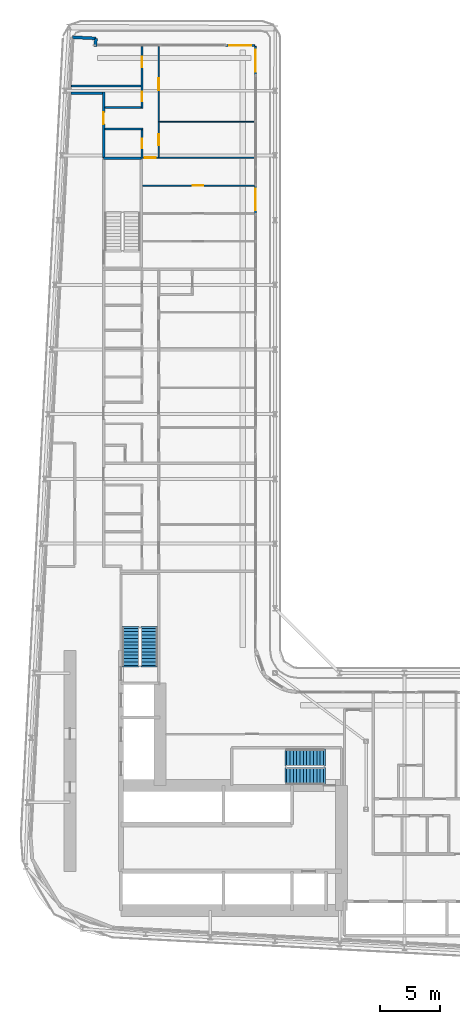
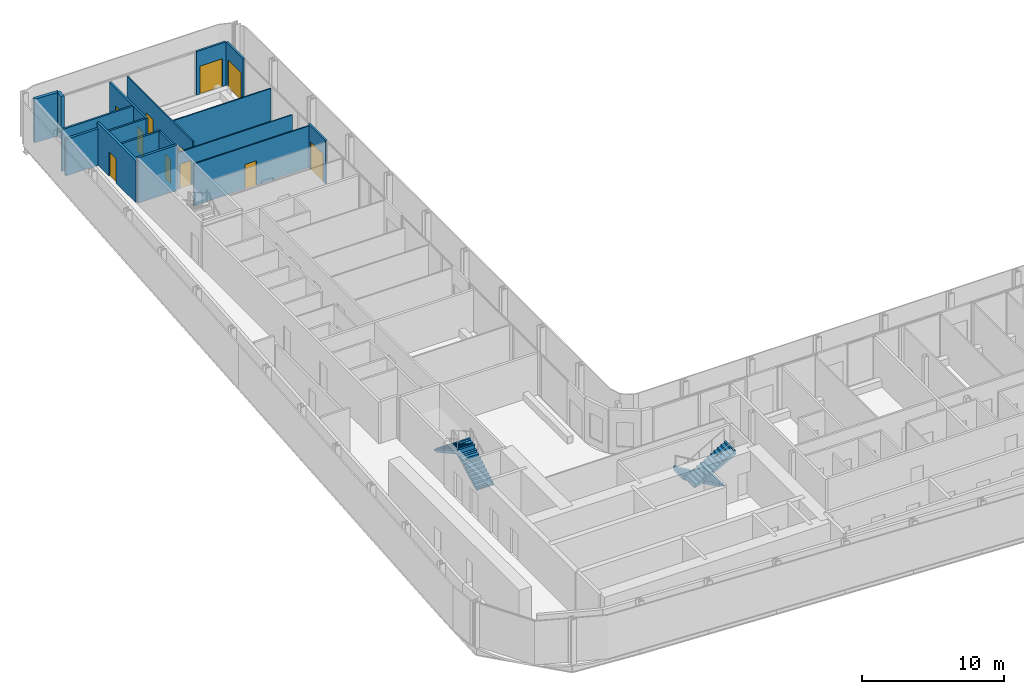
# One storey, part 20 of 28: 17 walls, 11 doors, 4 stair flights, 11 openings, 2 elements without a shape of their own.
"""IFC4 building model written with IfcOpenShell, lengths in metres."""

from ifc_helpers import new_model, si_unit, direction, frame, frame_2d, origin, place, context, subcontext, project, spatial, polyline, rectangle, outline, extrude, source, transform, mapped, material, layer, layer_set, type_object, element, fill, aggregate, save


model = new_model("IFC4")

# Units and contexts
model_context = context("Model", 3, precision=1e-05, world=origin(), true_north=direction((0.0, 1.0)))
body_context = subcontext(model_context, "Body", "Model", "MODEL_VIEW")
ifc_project = project(units=[si_unit("LENGTHUNIT", "METRE"), si_unit("AREAUNIT", "SQUARE_METRE"), si_unit("VOLUMEUNIT", "CUBIC_METRE"), si_unit("PLANEANGLEUNIT", "RADIAN"), si_unit("MASSUNIT", "GRAM", prefix="KILO")], contexts=[model_context])

# Site, building, storey
site_placement = place(None, origin())
site = spatial("IfcSite", under=ifc_project, at=site_placement, CompositionType="ELEMENT")
building_placement = place(site_placement, origin())
building = spatial("IfcBuilding", under=site, at=building_placement, Name="Kheshtan School and Residences Tower", CompositionType="ELEMENT")
storey_placement = place(building_placement, frame((0.0, 0.0, 77.300048828125)))
storey = spatial("IfcBuildingStorey", under=building, at=storey_placement, Name="L18", CompositionType="ELEMENT", Elevation=77.300048828125)

# Wall
ifc_material_1 = material(Name="Gypsum board on steel studs with fire boards", Category="steel")
ifc_layer_1 = layer(ifc_material_1, 0.199951171875)
ifc_layer_set_1 = layer_set([ifc_layer_1], Name="Corridor wall 200")
wall_type_1 = type_object("IfcWallType", Name="Corridor wall 200", PredefinedType="PARTITIONING", material=ifc_layer_set_1)
wall_1_placement = place(storey_placement, frame((30.584716796875, 94.0, 0.0), z_axis=(0.0, 0.0, 1.0), x_axis=(1.0, 0.0, 0.0)))
element("IfcWall", 1, at=wall_1_placement, inside=storey, type_object=wall_type_1, Name="Partition L18-002", PredefinedType="PARTITIONING", context=body_context, shape_type="SweptSolid", body=[
    extrude(rectangle(XDim=2.615234375, YDim=0.199951171875, at=frame_2d((1.3076171875, 0.0))), origin(), (0.0, 0.0, 1.0), 3.14697265625),
])

# Wall, opening, door
wall_2_placement = place(storey_placement, frame((33.300048828125, 88.60009765625, 0.0), z_axis=(0.0, 0.0, 1.0), x_axis=(0.0, 1.0, 0.0)))
wall_2 = element("IfcWall", 2, at=wall_2_placement, inside=storey, type_object=wall_type_1, Name="Partition L18-005", PredefinedType="PARTITIONING", context=body_context, shape_type="SweptSolid", body=[
    extrude(rectangle(XDim=5.5, YDim=0.199951171875, at=frame_2d((2.75, 0.0))), origin(), (0.0, 0.0, 1.0), 3.599853515625),
])
opening_1_placement = place(wall_2_placement, frame((2.800048828125, 0.0, 0.0)))
opening_1 = element("IfcOpeningElement", 3, at=opening_1_placement, cuts=wall_2, Name="Opening D17-058", PredefinedType="OPENING", context=body_context, shape_type="SweptSolid", body=[
    extrude(rectangle(XDim=1.0, YDim=2.10009765625, at=frame_2d((0.5, 1.050048828125))), frame((0.0, 0.10986328125, 0.0), z_axis=(0.0, -1.0, 0.0), x_axis=(1.0, 0.0, 0.0)), (0.0, 0.0, 1.0), 0.219970703125),
])
ifc_material_2 = material(Name="Steel-framed fire-resisting door leaf", Category="steel")
door_type_1 = type_object("IfcDoorType", Name="Fire door FD30S 1000 x 2100", OperationType="SINGLE_SWING_LEFT", PredefinedType="DOOR", material=ifc_material_2)
shared_shape_1 = source(origin(), body_context, "Body", "SweptSolid", [
    extrude(rectangle(XDim=1.0, YDim=2.10009765625, at=frame_2d((0.5, 1.050048828125))), frame((0.0, 0.02490234375, 0.0), z_axis=(0.0, -1.0, 0.0), x_axis=(1.0, 0.0, 0.0)), (0.0, 0.0, 1.0), 0.050048828125),
])
door_1_placement = place(opening_1_placement, origin())
door_1 = element("IfcDoor", 4, at=door_1_placement, inside=storey, type_object=door_type_1, Name="Door D17-058", OperationType="SINGLE_SWING_LEFT", OverallHeight=2.10009765625, OverallWidth=1.0, PredefinedType="DOOR", context=body_context, shape_type="MappedRepresentation", body=[
    mapped(shared_shape_1, transform((0.0, 0.0, 0.0), x_axis=(1.0, 0.0, 0.0), y_axis=(0.0, 1.0, 0.0), z_axis=(0.0, 0.0, 1.0), scale=1.0)),
])
fill(opening_1, door_1)

# Walls
ifc_material_3 = material(Name="Concrete C40/50 with ceramic cladding and mineral wool insulation", Category="concrete")
ifc_layer_2 = layer(ifc_material_3, 0.25)
ifc_layer_set_2 = layer_set([ifc_layer_2], Name="External wall 250 ceramic clad")
wall_type_2 = type_object("IfcWallType", Name="External wall 250 ceramic clad", PredefinedType="SOLIDWALL", material=ifc_layer_set_2)
wall_3_placement = place(storey_placement, frame((30.705078125, 98.6640625, 0.0), z_axis=(0.0, 0.0, 1.0), x_axis=(0.998577785791, -0.053314216913, 0.0)))
element("IfcWall", 5, at=wall_3_placement, inside=storey, type_object=wall_type_2, Name="External wall L18 5", PredefinedType="SOLIDWALL", context=body_context, shape_type="SweptSolid", body=[
    extrude(rectangle(XDim=1.95068359375, YDim=0.25, at=frame_2d((0.975341796875, 0.0))), origin(), (0.0, 0.0, 1.0), 3.75),
])
wall_4_placement = place(storey_placement, frame((32.653076171875, 98.56005859375, 0.0), z_axis=(0.0, 0.0, 1.0), x_axis=(-0.054093451632, -0.998535877418, 0.0)))
element("IfcWall", 6, at=wall_4_placement, inside=storey, type_object=wall_type_2, Name="External wall L18 6", PredefinedType="SOLIDWALL", context=body_context, shape_type="SweptSolid", body=[
    extrude(rectangle(XDim=0.66796875, YDim=0.25, at=frame_2d((0.333984375, 0.0))), origin(), (0.0, 0.0, 1.0), 3.75),
])

# Wall, opening, door
ifc_material_4 = material(Name="Aluminium frame wall with insulated infill", Category="aluminium")
ifc_layer_3 = layer(ifc_material_4, 0.14990234375)
ifc_layer_set_3 = layer_set([ifc_layer_3], Name="Glazing frame wall 150")
wall_type_3 = type_object("IfcWallType", Name="Glazing frame wall 150", PredefinedType="SOLIDWALL", material=ifc_layer_set_3)
wall_5_placement = place(storey_placement, frame((43.5, 97.97509765625, 0.0), z_axis=(0.0, 0.0, 1.0), x_axis=(1.0, 0.0, 0.0)))
wall_5 = element("IfcWall", 7, at=wall_5_placement, inside=storey, type_object=wall_type_3, Name="Balcony door wall L18 7.1", PredefinedType="SOLIDWALL", context=body_context, shape_type="SweptSolid", body=[
    extrude(rectangle(XDim=2.39990234375, YDim=0.14990234375, at=frame_2d((1.199951171875, 0.0))), origin(), (0.0, 0.0, 1.0), 3.75),
])
opening_2_placement = place(wall_5_placement, frame((0.300048828125, 0.0, 0.0)))
opening_2 = element("IfcOpeningElement", 8, at=opening_2_placement, cuts=wall_5, Name="Opening BD", PredefinedType="OPENING", context=body_context, shape_type="SweptSolid", body=[
    extrude(rectangle(XDim=1.800048828125, YDim=2.39990234375, at=frame_2d((0.89990234375, 1.199951171875))), frame((0.0, 0.0849609375, 0.0), z_axis=(0.0, -1.0, 0.0), x_axis=(1.0, 0.0, 0.0)), (0.0, 0.0, 1.0), 0.169921875),
])
ifc_material_5 = material(Name="Clear low-e glass in thermally broken aluminium frame", Category="aluminium")
door_type_2 = type_object("IfcDoorType", Name="Balcony sliding door", OperationType="SLIDING_TO_LEFT", PredefinedType="DOOR", material=ifc_material_5)
shared_shape_2 = source(origin(), body_context, "Body", "SweptSolid", [
    extrude(rectangle(XDim=1.800048828125, YDim=2.39990234375, at=frame_2d((0.89990234375, 1.199951171875))), frame((0.0, 0.02490234375, 0.0), z_axis=(0.0, -1.0, 0.0), x_axis=(1.0, 0.0, 0.0)), (0.0, 0.0, 1.0), 0.050048828125),
])
door_2_placement = place(opening_2_placement, origin())
door_2 = element("IfcDoor", 9, at=door_2_placement, inside=storey, type_object=door_type_2, Name="Balcony door L18 7.1", OperationType="SLIDING_TO_LEFT", OverallHeight=2.39990234375, OverallWidth=1.800048828125, PredefinedType="DOOR", context=body_context, shape_type="MappedRepresentation", body=[
    mapped(shared_shape_2, transform((0.0, 0.0, 0.0), x_axis=(1.0, 0.0, 0.0), y_axis=(0.0, 1.0, 0.0), z_axis=(0.0, 0.0, 1.0), scale=1.0)),
])
fill(opening_2, door_2)

wall_6_placement = place(storey_placement, frame((45.97509765625, 97.89990234375, 0.0), z_axis=(0.0, 0.0, 1.0), x_axis=(0.0, -1.0, 0.0)))
wall_6 = element("IfcWall", 10, at=wall_6_placement, inside=storey, type_object=wall_type_3, Name="Balcony door wall L18 8.1", PredefinedType="SOLIDWALL", context=body_context, shape_type="SweptSolid", body=[
    extrude(rectangle(XDim=2.39990234375, YDim=0.14990234375, at=frame_2d((1.199951171875, 0.0))), origin(), (0.0, 0.0, 1.0), 3.75),
])
opening_3_placement = place(wall_6_placement, frame((0.300048828125, 0.0, 0.0)))
opening_3 = element("IfcOpeningElement", 11, at=opening_3_placement, cuts=wall_6, Name="Opening BD", PredefinedType="OPENING", context=body_context, shape_type="SweptSolid", body=[
    extrude(rectangle(XDim=1.800048828125, YDim=2.39990234375, at=frame_2d((0.89990234375, 1.199951171875))), frame((0.0, 0.0849609375, 0.0), z_axis=(0.0, -1.0, 0.0), x_axis=(1.0, 0.0, 0.0)), (0.0, 0.0, 1.0), 0.169921875),
])
door_3_placement = place(opening_3_placement, origin())
door_3 = element("IfcDoor", 12, at=door_3_placement, inside=storey, type_object=door_type_2, Name="Balcony door L18 8.1", OperationType="SLIDING_TO_LEFT", OverallHeight=2.39990234375, OverallWidth=1.800048828125, PredefinedType="DOOR", context=body_context, shape_type="MappedRepresentation", body=[
    mapped(shared_shape_2, transform((0.0, 0.0, 0.0), x_axis=(1.0, 0.0, 0.0), y_axis=(0.0, 1.0, 0.0), z_axis=(0.0, 0.0, 1.0), scale=1.0)),
])
fill(opening_3, door_3)

wall_7_placement = place(storey_placement, frame((45.97509765625, 86.305908203125, 0.0), z_axis=(0.0, 0.0, 1.0), x_axis=(0.0, -1.0, 0.0)))
wall_7 = element("IfcWall", 13, at=wall_7_placement, inside=storey, type_object=wall_type_3, Name="Balcony door wall L18 8.2", PredefinedType="SOLIDWALL", context=body_context, shape_type="SweptSolid", body=[
    extrude(rectangle(XDim=2.39990234375, YDim=0.14990234375, at=frame_2d((1.199951171875, 0.0))), origin(), (0.0, 0.0, 1.0), 3.75),
])
opening_4_placement = place(wall_7_placement, frame((0.300048828125, 0.0, 0.0)))
opening_4 = element("IfcOpeningElement", 14, at=opening_4_placement, cuts=wall_7, Name="Opening BD", PredefinedType="OPENING", context=body_context, shape_type="SweptSolid", body=[
    extrude(rectangle(XDim=1.800048828125, YDim=2.39990234375, at=frame_2d((0.89990234375, 1.199951171875))), frame((0.0, 0.0849609375, 0.0), z_axis=(0.0, -1.0, 0.0), x_axis=(1.0, 0.0, 0.0)), (0.0, 0.0, 1.0), 0.169921875),
])
door_4_placement = place(opening_4_placement, origin())
door_4 = element("IfcDoor", 15, at=door_4_placement, inside=storey, type_object=door_type_2, Name="Balcony door L18 8.2", OperationType="SLIDING_TO_LEFT", OverallHeight=2.39990234375, OverallWidth=1.800048828125, PredefinedType="DOOR", context=body_context, shape_type="MappedRepresentation", body=[
    mapped(shared_shape_2, transform((0.0, 0.0, 0.0), x_axis=(1.0, 0.0, 0.0), y_axis=(0.0, 1.0, 0.0), z_axis=(0.0, 0.0, 1.0), scale=1.0)),
])
fill(opening_4, door_4)

ifc_material_6 = material(Name="Gypsum board on steel studs", Category="steel")
ifc_layer_4 = layer(ifc_material_6, 0.10009765625)
ifc_layer_set_4 = layer_set([ifc_layer_4], Name="Gypsum partition 100")
wall_type_4 = type_object("IfcWallType", Name="Gypsum partition 100", PredefinedType="PARTITIONING", material=ifc_layer_set_4)
wall_8_placement = place(storey_placement, frame((36.549072265625, 86.27490234375, 0.0), z_axis=(0.0, 0.0, 1.0), x_axis=(1.0, 0.0, 0.0)))
wall_8 = element("IfcWall", 16, at=wall_8_placement, inside=storey, type_object=wall_type_4, Name="Partition L18-030", PredefinedType="PARTITIONING", context=body_context, shape_type="SweptSolid", body=[
    extrude(rectangle(XDim=9.350830078125, YDim=0.10009765625, at=frame_2d((4.67529296875, 0.0))), origin(), (0.0, 0.0, 1.0), 3.599853515625),
])
opening_5_placement = place(wall_8_placement, frame((4.176025390625, 0.0, 0.0)))
opening_5 = element("IfcOpeningElement", 17, at=opening_5_placement, cuts=wall_8, Name="Opening D17-063", PredefinedType="OPENING", context=body_context, shape_type="SweptSolid", body=[
    extrude(rectangle(XDim=0.89990234375, YDim=2.10009765625, at=frame_2d((0.449951171875, 1.050048828125))), frame((0.0, 0.06005859375, 0.0), z_axis=(0.0, -1.0, 0.0), x_axis=(1.0, 0.0, 0.0)), (0.0, 0.0, 1.0), 0.1201171875),
])
ifc_material_7 = material(Name="Veneered timber door leaf", Category="wood")
door_type_3 = type_object("IfcDoorType", Name="Door 900 x 2100", OperationType="SINGLE_SWING_LEFT", PredefinedType="DOOR", material=ifc_material_7)
shared_shape_3 = source(origin(), body_context, "Body", "SweptSolid", [
    extrude(rectangle(XDim=0.89990234375, YDim=2.10009765625, at=frame_2d((0.449951171875, 1.050048828125))), frame((0.0, 0.02490234375, 0.0), z_axis=(0.0, -1.0, 0.0), x_axis=(1.0, 0.0, 0.0)), (0.0, 0.0, 1.0), 0.050048828125),
])
door_5_placement = place(opening_5_placement, origin())
door_5 = element("IfcDoor", 18, at=door_5_placement, inside=storey, type_object=door_type_3, Name="Door D17-063", OperationType="SINGLE_SWING_RIGHT", OverallHeight=2.10009765625, OverallWidth=0.89990234375, PredefinedType="DOOR", context=body_context, shape_type="MappedRepresentation", body=[
    mapped(shared_shape_3, transform((0.0, 0.0, 0.0), x_axis=(1.0, 0.0, 0.0), y_axis=(0.0, 1.0, 0.0), z_axis=(0.0, 0.0, 1.0), scale=1.0)),
])
fill(opening_5, door_5)

wall_9_placement = place(storey_placement, frame((36.574951171875, 88.60009765625, 0.0), z_axis=(0.0, 0.0, 1.0), x_axis=(1.0, 0.0, 0.0)))
wall_9 = element("IfcWall", 19, at=wall_9_placement, inside=storey, type_object=wall_type_4, Name="Partition L18-031", PredefinedType="PARTITIONING", context=body_context, shape_type="SweptSolid", body=[
    extrude(rectangle(XDim=9.324951171875, YDim=0.10009765625, at=frame_2d((4.66259765625, 0.0))), origin(), (0.0, 0.0, 1.0), 3.14697265625),
])
opening_6_placement = place(wall_9_placement, frame((0.175048828125, 0.0, 0.0)))
opening_6 = element("IfcOpeningElement", 20, at=opening_6_placement, cuts=wall_9, Name="Opening D17-062", PredefinedType="OPENING", context=body_context, shape_type="SweptSolid", body=[
    extrude(rectangle(XDim=0.89990234375, YDim=2.10009765625, at=frame_2d((0.449951171875, 1.050048828125))), frame((0.0, 0.06005859375, 0.0), z_axis=(0.0, -1.0, 0.0), x_axis=(1.0, 0.0, 0.0)), (0.0, 0.0, 1.0), 0.1201171875),
])
door_6_placement = place(opening_6_placement, origin())
door_6 = element("IfcDoor", 21, at=door_6_placement, inside=storey, type_object=door_type_3, Name="Door D17-062", OperationType="SINGLE_SWING_RIGHT", OverallHeight=2.10009765625, OverallWidth=0.89990234375, PredefinedType="DOOR", context=body_context, shape_type="MappedRepresentation", body=[
    mapped(shared_shape_3, transform((0.0, 0.0, 0.0), x_axis=(1.0, 0.0, 0.0), y_axis=(0.0, 1.0, 0.0), z_axis=(0.0, 0.0, 1.0), scale=1.0)),
])
fill(opening_6, door_6)

# Wall, openings, doors
wall_10_placement = place(storey_placement, frame((37.89990234375, 88.64990234375, 0.0), z_axis=(0.0, 0.0, 1.0), x_axis=(0.0, 1.0, 0.0)))
wall_10 = element("IfcWall", 22, at=wall_10_placement, inside=storey, type_object=wall_type_4, Name="Partition L18-034", PredefinedType="PARTITIONING", context=body_context, shape_type="SweptSolid", body=[
    extrude(rectangle(XDim=9.25, YDim=0.10009765625, at=frame_2d((4.625, 0.0))), origin(), (0.0, 0.0, 1.0), 3.599853515625),
])
opening_7_placement = place(wall_10_placement, frame((1.0, 0.0, 0.0)))
opening_7 = element("IfcOpeningElement", 23, at=opening_7_placement, cuts=wall_10, Name="Opening D17-057", PredefinedType="OPENING", context=body_context, shape_type="SweptSolid", body=[
    extrude(rectangle(XDim=0.89990234375, YDim=2.10009765625, at=frame_2d((0.449951171875, 1.050048828125))), frame((0.0, 0.06005859375, 0.0), z_axis=(0.0, -1.0, 0.0), x_axis=(1.0, 0.0, 0.0)), (0.0, 0.0, 1.0), 0.1201171875),
])
opening_8_placement = place(wall_10_placement, frame((5.60009765625, 0.0, 0.0)))
opening_8 = element("IfcOpeningElement", 24, at=opening_8_placement, cuts=wall_10, Name="Opening D17-060", PredefinedType="OPENING", context=body_context, shape_type="SweptSolid", body=[
    extrude(rectangle(XDim=1.0, YDim=2.10009765625, at=frame_2d((0.5, 1.050048828125))), frame((0.0, 0.06005859375, 0.0), z_axis=(0.0, -1.0, 0.0), x_axis=(1.0, 0.0, 0.0)), (0.0, 0.0, 1.0), 0.1201171875),
])
door_type_4 = type_object("IfcDoorType", Name="Door 1000 x 2100", OperationType="SINGLE_SWING_LEFT", PredefinedType="DOOR", material=ifc_material_7)
shared_shape_4 = source(origin(), body_context, "Body", "SweptSolid", [
    extrude(rectangle(XDim=1.0, YDim=2.10009765625, at=frame_2d((0.5, 1.050048828125))), frame((0.0, 0.02490234375, 0.0), z_axis=(0.0, -1.0, 0.0), x_axis=(1.0, 0.0, 0.0)), (0.0, 0.0, 1.0), 0.050048828125),
])
door_7_placement = place(opening_8_placement, origin())
door_7 = element("IfcDoor", 25, at=door_7_placement, inside=storey, type_object=door_type_4, Name="Door D17-060", OperationType="SINGLE_SWING_RIGHT", OverallHeight=2.10009765625, OverallWidth=1.0, PredefinedType="DOOR", context=body_context, shape_type="MappedRepresentation", body=[
    mapped(shared_shape_4, transform((0.0, 0.0, 0.0), x_axis=(1.0, 0.0, 0.0), y_axis=(0.0, 1.0, 0.0), z_axis=(0.0, 0.0, 1.0), scale=1.0)),
])
fill(opening_8, door_7)
door_8_placement = place(opening_7_placement, origin())
door_8 = element("IfcDoor", 26, at=door_8_placement, inside=storey, type_object=door_type_3, Name="Door D17-057", OperationType="SINGLE_SWING_LEFT", OverallHeight=2.10009765625, OverallWidth=0.89990234375, PredefinedType="DOOR", context=body_context, shape_type="MappedRepresentation", body=[
    mapped(shared_shape_3, transform((0.0, 0.0, 0.0), x_axis=(1.0, 0.0, 0.0), y_axis=(0.0, 1.0, 0.0), z_axis=(0.0, 0.0, 1.0), scale=1.0)),
])
fill(opening_7, door_8)

# Walls
wall_11_placement = place(storey_placement, frame((37.949951171875, 91.60009765625, 0.0), z_axis=(0.0, 0.0, 1.0), x_axis=(1.0, 0.0, 0.0)))
element("IfcWall", 27, at=wall_11_placement, inside=storey, type_object=wall_type_4, Name="Partition L18-035", PredefinedType="PARTITIONING", context=body_context, shape_type="SweptSolid", body=[
    extrude(rectangle(XDim=7.949951171875, YDim=0.10009765625, at=frame_2d((3.97509765625, 0.0))), origin(), (0.0, 0.0, 1.0), 3.599853515625),
])
ifc_material_8 = material(Name="Concrete C40/50", Category="concrete")
ifc_layer_5 = layer(ifc_material_8, 0.199951171875)
ifc_layer_set_5 = layer_set([ifc_layer_5], Name="Stair enclosure wall 200 Concrete C40/50")
wall_type_5 = type_object("IfcWallType", Name="Stair enclosure wall 200 Concrete C40/50", PredefinedType="SHEAR", material=ifc_layer_set_5)
wall_12_placement = place(storey_placement, frame((33.300048828125, 88.56005859375, 0.0), z_axis=(0.0, 0.0, 1.0), x_axis=(1.0, 0.0, 0.0)))
element("IfcWall", 28, at=wall_12_placement, inside=storey, type_object=wall_type_5, Name="Stair enclosure wall ST3", PredefinedType="SHEAR", context=body_context, shape_type="SweptSolid", body=[
    extrude(rectangle(XDim=3.14990234375, YDim=0.199951171875, at=frame_2d((1.574951171875, 0.0))), origin(), (0.0, 0.0, 1.0), 3.89990234375),
])
ifc_material_9 = material(Name="Moisture-resistant gypsum board on steel studs", Category="steel")
ifc_layer_6 = layer(ifc_material_9, 0.14990234375)
ifc_layer_set_6 = layer_set([ifc_layer_6], Name="Wet-room partition 150")
wall_type_6 = type_object("IfcWallType", Name="Wet-room partition 150", PredefinedType="PARTITIONING", material=ifc_layer_set_6)
wall_13_placement = place(storey_placement, frame((30.616943359375, 94.60009765625, 0.0), z_axis=(0.0, 0.0, 1.0), x_axis=(1.0, 0.0, 0.0)))
element("IfcWall", 29, at=wall_13_placement, inside=storey, type_object=wall_type_6, Name="Partition L18-001", PredefinedType="PARTITIONING", context=body_context, shape_type="SweptSolid", body=[
    extrude(rectangle(XDim=5.80810546875, YDim=0.14990234375, at=frame_2d((2.904052734375, 0.0))), origin(), (0.0, 0.0, 1.0), 3.599853515625),
])
wall_14_placement = place(storey_placement, frame((33.39990234375, 91.0, 0.0), z_axis=(0.0, 0.0, 1.0), x_axis=(1.0, 0.0, 0.0)))
element("IfcWall", 30, at=wall_14_placement, inside=storey, type_object=wall_type_6, Name="Partition L18-018", PredefinedType="PARTITIONING", context=body_context, shape_type="SweptSolid", body=[
    extrude(rectangle(XDim=3.175048828125, YDim=0.14990234375, at=frame_2d((1.58740234375, 0.0))), origin(), (0.0, 0.0, 1.0), 3.599853515625),
])
wall_15_placement = place(storey_placement, frame((33.39990234375, 92.800048828125, 0.0), z_axis=(0.0, 0.0, 1.0), x_axis=(1.0, 0.0, 0.0)))
element("IfcWall", 31, at=wall_15_placement, inside=storey, type_object=wall_type_6, Name="Partition L18-019", PredefinedType="PARTITIONING", context=body_context, shape_type="SweptSolid", body=[
    extrude(rectangle(XDim=3.025146484375, YDim=0.14990234375, at=frame_2d((1.5126953125, 0.0))), origin(), (0.0, 0.0, 1.0), 3.599853515625),
])

# Wall, opening, door
wall_16_placement = place(storey_placement, frame((36.5, 88.550048828125, 0.0), z_axis=(0.0, 0.0, 1.0), x_axis=(0.0, 1.0, 0.0)))
wall_16 = element("IfcWall", 32, at=wall_16_placement, inside=storey, type_object=wall_type_6, Name="Partition L18-026", PredefinedType="PARTITIONING", context=body_context, shape_type="SweptSolid", body=[
    extrude(rectangle(XDim=2.375, YDim=0.14990234375, at=frame_2d((1.1875, 0.0))), origin(), (0.0, 0.0, 1.0), 3.599853515625),
])
opening_9_placement = place(wall_16_placement, frame((0.85009765625, 0.0, 0.0)))
opening_9 = element("IfcOpeningElement", 33, at=opening_9_placement, cuts=wall_16, Name="Opening D17-056", PredefinedType="OPENING", context=body_context, shape_type="SweptSolid", body=[
    extrude(rectangle(XDim=0.800048828125, YDim=2.10009765625, at=frame_2d((0.39990234375, 1.050048828125))), frame((0.0, 0.0849609375, 0.0), z_axis=(0.0, -1.0, 0.0), x_axis=(1.0, 0.0, 0.0)), (0.0, 0.0, 1.0), 0.169921875),
])
door_type_5 = type_object("IfcDoorType", Name="Door 800 x 2100", OperationType="SINGLE_SWING_LEFT", PredefinedType="DOOR", material=ifc_material_7)
shared_shape_5 = source(origin(), body_context, "Body", "SweptSolid", [
    extrude(rectangle(XDim=0.800048828125, YDim=2.10009765625, at=frame_2d((0.39990234375, 1.050048828125))), frame((0.0, 0.02490234375, 0.0), z_axis=(0.0, -1.0, 0.0), x_axis=(1.0, 0.0, 0.0)), (0.0, 0.0, 1.0), 0.050048828125),
])
door_9_placement = place(opening_9_placement, origin())
door_9 = element("IfcDoor", 34, at=door_9_placement, inside=storey, type_object=door_type_5, Name="Door D17-056", OperationType="SINGLE_SWING_RIGHT", OverallHeight=2.10009765625, OverallWidth=0.800048828125, PredefinedType="DOOR", context=body_context, shape_type="MappedRepresentation", body=[
    mapped(shared_shape_5, transform((0.0, 0.0, 0.0), x_axis=(1.0, 0.0, 0.0), y_axis=(0.0, 1.0, 0.0), z_axis=(0.0, 0.0, 1.0), scale=1.0)),
])
fill(opening_9, door_9)

# Wall, openings, doors
wall_17_placement = place(storey_placement, frame((36.5, 92.72509765625, 0.0), z_axis=(0.0, 0.0, 1.0), x_axis=(0.0, 1.0, 0.0)))
wall_17 = element("IfcWall", 35, at=wall_17_placement, inside=storey, type_object=wall_type_6, Name="Partition L18-027", PredefinedType="PARTITIONING", context=body_context, shape_type="SweptSolid", body=[
    extrude(rectangle(XDim=5.1748046875, YDim=0.14990234375, at=frame_2d((2.58740234375, 0.0))), origin(), (0.0, 0.0, 1.0), 3.599853515625),
])
opening_10_placement = place(wall_17_placement, frame((3.425048828125, 0.0, 0.0)))
opening_10 = element("IfcOpeningElement", 36, at=opening_10_placement, cuts=wall_17, Name="Opening D17-059", PredefinedType="OPENING", context=body_context, shape_type="SweptSolid", body=[
    extrude(rectangle(XDim=0.89990234375, YDim=2.10009765625, at=frame_2d((0.449951171875, 1.050048828125))), frame((0.0, 0.0849609375, 0.0), z_axis=(0.0, -1.0, 0.0), x_axis=(1.0, 0.0, 0.0)), (0.0, 0.0, 1.0), 0.169921875),
])
opening_11_placement = place(wall_17_placement, frame((0.574951171875, 0.0, 0.0)))
opening_11 = element("IfcOpeningElement", 37, at=opening_11_placement, cuts=wall_17, Name="Opening D17-061", PredefinedType="OPENING", context=body_context, shape_type="SweptSolid", body=[
    extrude(rectangle(XDim=0.800048828125, YDim=2.10009765625, at=frame_2d((0.39990234375, 1.050048828125))), frame((0.0, 0.0849609375, 0.0), z_axis=(0.0, -1.0, 0.0), x_axis=(1.0, 0.0, 0.0)), (0.0, 0.0, 1.0), 0.169921875),
])
door_10_placement = place(opening_11_placement, origin())
door_10 = element("IfcDoor", 38, at=door_10_placement, inside=storey, type_object=door_type_5, Name="Door D17-061", OperationType="SINGLE_SWING_RIGHT", OverallHeight=2.10009765625, OverallWidth=0.800048828125, PredefinedType="DOOR", context=body_context, shape_type="MappedRepresentation", body=[
    mapped(shared_shape_5, transform((0.0, 0.0, 0.0), x_axis=(1.0, 0.0, 0.0), y_axis=(0.0, 1.0, 0.0), z_axis=(0.0, 0.0, 1.0), scale=1.0)),
])
fill(opening_11, door_10)
door_11_placement = place(opening_10_placement, origin())
door_11 = element("IfcDoor", 39, at=door_11_placement, inside=storey, type_object=door_type_3, Name="Door D17-059", OperationType="SINGLE_SWING_LEFT", OverallHeight=2.10009765625, OverallWidth=0.89990234375, PredefinedType="DOOR", context=body_context, shape_type="MappedRepresentation", body=[
    mapped(shared_shape_3, transform((0.0, 0.0, 0.0), x_axis=(1.0, 0.0, 0.0), y_axis=(0.0, 1.0, 0.0), z_axis=(0.0, 0.0, 1.0), scale=1.0)),
])
fill(opening_10, door_11)

# Stair, stair flights
stair_type = type_object("IfcStairType", Name="Exit stair, half-turn", PredefinedType="HALF_TURN_STAIR", material=ifc_material_8)
stair_1_placement = place(storey_placement, origin())
stair_1 = element("IfcStair", 40, at=stair_1_placement, inside=storey, type_object=stair_type, Name="L18 Protected Exit Stair ST1", PredefinedType="HALF_TURN_STAIR")
ifc_layer_7 = layer(ifc_material_8, 0.14990234375)
ifc_layer_set_7 = layer_set([ifc_layer_7], Name="Stair flight 1400 Concrete C40/50")
stair_flight_type = type_object("IfcStairFlightType", Name="Stair flight 1400 Concrete C40/50", PredefinedType="STRAIGHT", material=ifc_layer_set_7)
stair_flight_1_placement = place(storey_placement, frame((51.64990234375, 38.550048828125, 0.0), z_axis=(0.0, 0.0, 1.0), x_axis=(-1.0, 0.0, 0.0)))
stair_flight_1 = element("IfcStairFlight", 41, at=stair_flight_1_placement, type_object=stair_flight_type, Name="ST1 flight 1", NumberOfRisers=12, NumberOfTreads=11, PredefinedType="STRAIGHT", RiserHeight=0.1625, TreadLength=0.28, context=body_context, shape_type="SweptSolid", body=[
    extrude(outline(polyline([(-0.14990234375, -0.10009765625), (-0.14990234375, 0.0), (0.0, 0.0), (0.0, 0.16259765625), (0.280029296875, 0.16259765625), (0.280029296875, 0.324951171875), (0.56005859375, 0.324951171875), (0.56005859375, 0.487548828125), (0.840087890625, 0.487548828125), (0.840087890625, 0.64990234375), (1.1201171875, 0.64990234375), (1.1201171875, 0.8125), (1.39990234375, 0.8125), (1.39990234375, 0.97509765625), (1.679931640625, 0.97509765625), (1.679931640625, 1.137451171875), (1.9599609375, 1.137451171875), (1.9599609375, 1.300048828125), (2.239990234375, 1.300048828125), (2.239990234375, 1.46240234375), (2.52001953125, 1.46240234375), (2.52001953125, 1.625), (2.800048828125, 1.625), (2.800048828125, 1.78759765625), (3.080078125, 1.78759765625), (3.080078125, 1.949951171875), (3.080078125, 1.969970703125), (3.22998046875, 1.969970703125), (3.22998046875, 1.6142578125), (0.298583984375, 0.0), (-0.14990234375, -0.10009765625)])), frame((0.0, 0.699951171875, 0.0), z_axis=(0.0, -1.0, 0.0), x_axis=(1.0, 0.0, 0.0)), (0.0, 0.0, 1.0), 1.39990234375),
])
stair_flight_2_placement = place(storey_placement, frame((48.570068359375, 37.0, 1.949951171875), z_axis=(0.0, 0.0, 1.0), x_axis=(1.0, 0.0, 0.0)))
stair_flight_2 = element("IfcStairFlight", 42, at=stair_flight_2_placement, type_object=stair_flight_type, Name="ST1 flight 2", NumberOfRisers=12, NumberOfTreads=11, PredefinedType="STRAIGHT", RiserHeight=0.1625, TreadLength=0.28, context=body_context, shape_type="SweptSolid", body=[
    extrude(outline(polyline([(-0.14990234375, -0.10009765625), (-0.14990234375, 0.0), (0.0, 0.0), (0.0, 0.16259765625), (0.280029296875, 0.16259765625), (0.280029296875, 0.324951171875), (0.56005859375, 0.324951171875), (0.56005859375, 0.487548828125), (0.840087890625, 0.487548828125), (0.840087890625, 0.64990234375), (1.1201171875, 0.64990234375), (1.1201171875, 0.8125), (1.39990234375, 0.8125), (1.39990234375, 0.97509765625), (1.679931640625, 0.97509765625), (1.679931640625, 1.137451171875), (1.9599609375, 1.137451171875), (1.9599609375, 1.300048828125), (2.239990234375, 1.300048828125), (2.239990234375, 1.46240234375), (2.52001953125, 1.46240234375), (2.52001953125, 1.625), (2.800048828125, 1.625), (2.800048828125, 1.78759765625), (3.080078125, 1.78759765625), (3.080078125, 1.949951171875), (3.080078125, 1.969970703125), (3.22998046875, 1.969970703125), (3.22998046875, 1.6142578125), (0.298583984375, 0.0), (-0.14990234375, -0.10009765625)])), frame((0.0, 0.699951171875, 0.0), z_axis=(0.0, -1.0, 0.0), x_axis=(1.0, 0.0, 0.0)), (0.0, 0.0, 1.0), 1.39990234375),
])
aggregate(stair_1, [stair_flight_1, stair_flight_2])

stair_2_placement = place(storey_placement, origin())
stair_2 = element("IfcStair", 43, at=stair_2_placement, inside=storey, type_object=stair_type, Name="L18 Protected Exit Stair ST2", PredefinedType="HALF_TURN_STAIR")
stair_flight_3_placement = place(storey_placement, frame((37.10009765625, 46.25, 0.0), z_axis=(0.0, 0.0, 1.0), x_axis=(0.0, 1.0, 0.0)))
stair_flight_3 = element("IfcStairFlight", 44, at=stair_flight_3_placement, type_object=stair_flight_type, Name="ST2 flight 1", NumberOfRisers=12, NumberOfTreads=11, PredefinedType="STRAIGHT", RiserHeight=0.1625, TreadLength=0.28, context=body_context, shape_type="SweptSolid", body=[
    extrude(outline(polyline([(-0.14990234375, -0.10009765625), (-0.14990234375, 0.0), (0.0, 0.0), (0.0, 0.16259765625), (0.280029296875, 0.16259765625), (0.280029296875, 0.324951171875), (0.56005859375, 0.324951171875), (0.56005859375, 0.487548828125), (0.840087890625, 0.487548828125), (0.840087890625, 0.64990234375), (1.1201171875, 0.64990234375), (1.1201171875, 0.8125), (1.39990234375, 0.8125), (1.39990234375, 0.97509765625), (1.679931640625, 0.97509765625), (1.679931640625, 1.137451171875), (1.9599609375, 1.137451171875), (1.9599609375, 1.300048828125), (2.239990234375, 1.300048828125), (2.239990234375, 1.46240234375), (2.52001953125, 1.46240234375), (2.52001953125, 1.625), (2.800048828125, 1.625), (2.800048828125, 1.78759765625), (3.080078125, 1.78759765625), (3.080078125, 1.949951171875), (3.080078125, 1.969970703125), (3.22998046875, 1.969970703125), (3.22998046875, 1.6142578125), (0.298583984375, 0.0), (-0.14990234375, -0.10009765625)])), frame((0.0, 0.699951171875, 0.0), z_axis=(0.0, -1.0, 0.0), x_axis=(1.0, 0.0, 0.0)), (0.0, 0.0, 1.0), 1.39990234375),
])
stair_flight_4_placement = place(storey_placement, frame((35.550048828125, 49.330078125, 1.949951171875), z_axis=(0.0, 0.0, 1.0), x_axis=(0.0, -1.0, 0.0)))
stair_flight_4 = element("IfcStairFlight", 45, at=stair_flight_4_placement, type_object=stair_flight_type, Name="ST2 flight 2", NumberOfRisers=12, NumberOfTreads=11, PredefinedType="STRAIGHT", RiserHeight=0.1625, TreadLength=0.28, context=body_context, shape_type="SweptSolid", body=[
    extrude(outline(polyline([(-0.14990234375, -0.10009765625), (-0.14990234375, 0.0), (0.0, 0.0), (0.0, 0.16259765625), (0.280029296875, 0.16259765625), (0.280029296875, 0.324951171875), (0.56005859375, 0.324951171875), (0.56005859375, 0.487548828125), (0.840087890625, 0.487548828125), (0.840087890625, 0.64990234375), (1.1201171875, 0.64990234375), (1.1201171875, 0.8125), (1.39990234375, 0.8125), (1.39990234375, 0.97509765625), (1.679931640625, 0.97509765625), (1.679931640625, 1.137451171875), (1.9599609375, 1.137451171875), (1.9599609375, 1.300048828125), (2.239990234375, 1.300048828125), (2.239990234375, 1.46240234375), (2.52001953125, 1.46240234375), (2.52001953125, 1.625), (2.800048828125, 1.625), (2.800048828125, 1.78759765625), (3.080078125, 1.78759765625), (3.080078125, 1.949951171875), (3.080078125, 1.969970703125), (3.22998046875, 1.969970703125), (3.22998046875, 1.6142578125), (0.298583984375, 0.0), (-0.14990234375, -0.10009765625)])), frame((0.0, 0.699951171875, 0.0), z_axis=(0.0, -1.0, 0.0), x_axis=(1.0, 0.0, 0.0)), (0.0, 0.0, 1.0), 1.39990234375),
])
aggregate(stair_2, [stair_flight_3, stair_flight_4])

save(model, "model.ifc")
